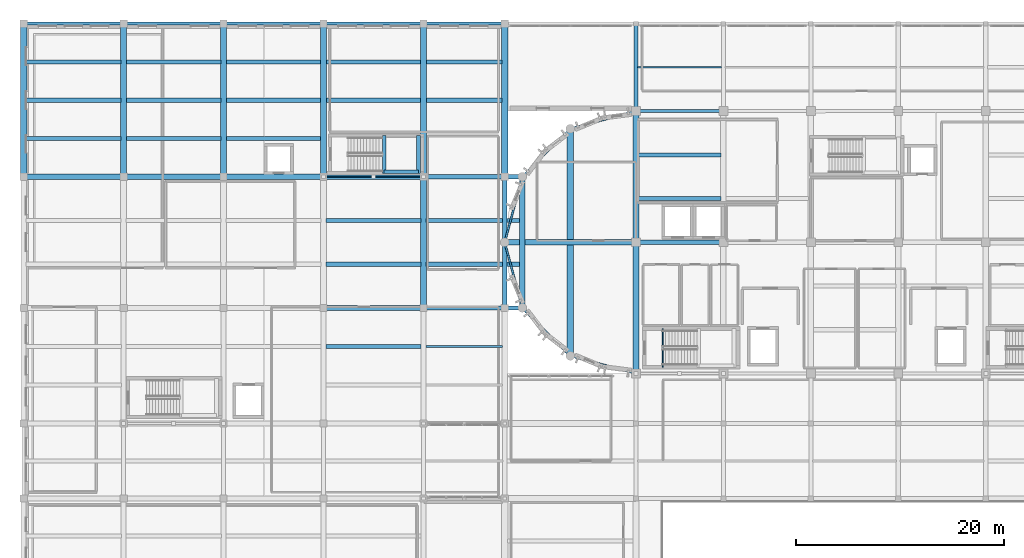
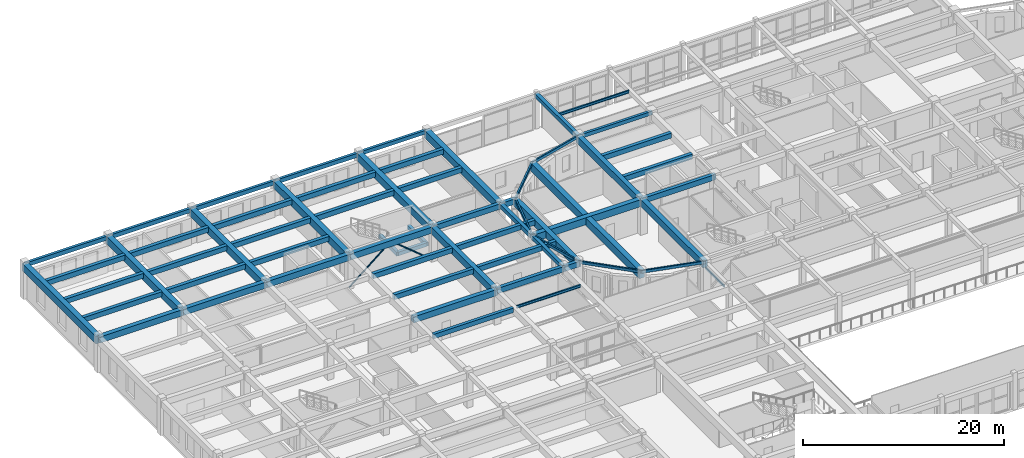
# One storey, part 31 of 92: 62 beams, 3 members.
"""IFC4 building model written with IfcOpenShell, lengths in metres."""

from ifc_helpers import new_model, si_unit, direction, frame, origin, origin_2d, place, context, subcontext, project, spatial, rectangle, hollow_rectangle, hollow_circle, i_section, extrude, material, material_profile, profile_set, type_object, element, save


model = new_model("IFC4")

# Units and contexts
model_context = context("Model", 3, precision=1e-05, world=origin(), true_north=direction((0.0, 1.0)))
body_context = subcontext(model_context, "Body", "Model", "MODEL_VIEW")
ifc_project = project(units=[si_unit("LENGTHUNIT", "METRE"), si_unit("AREAUNIT", "SQUARE_METRE"), si_unit("VOLUMEUNIT", "CUBIC_METRE"), si_unit("PLANEANGLEUNIT", "RADIAN"), si_unit("MASSUNIT", "GRAM", prefix="KILO")], contexts=[model_context])

# Site, building, storey
site_placement = place(None, origin())
site = spatial("IfcSite", under=ifc_project, at=site_placement, CompositionType="ELEMENT")
building_placement = place(site_placement, origin())
building = spatial("IfcBuilding", under=site, at=building_placement, Name="Tarnavel Promenade Courthouse", CompositionType="ELEMENT")
storey_placement = place(building_placement, frame((0.0, 0.0, 5.39990234375)))
storey = spatial("IfcBuildingStorey", under=building, at=storey_placement, Name="L02", CompositionType="ELEMENT", Elevation=5.39990234375)

# Beams
ifc_material_1 = material(Name="Concrete C40/50", Category="concrete")
ifc_material_profile_1 = material_profile(ifc_material_1, rectangle(XDim=0.35009765625, YDim=0.550048828125, at=origin_2d()), Name="PT 350x550")
ifc_profile_set_1 = profile_set([ifc_material_profile_1], Name="Concrete C40/50")
beam_type_1 = type_object("IfcBeamType", Name="Concrete C40/50 BM-PT-350x550 (PT 350x550)", PredefinedType="JOIST", material=ifc_profile_set_1)
beam_1_placement = place(storey_placement, frame((29.02001953125, 81.800048828125, 3.920166015625), z_axis=(1.0, 0.0, 0.0), x_axis=(0.0, 1.0, 0.0)))
element("IfcBeam", 1, at=beam_1_placement, inside=storey, type_object=beam_type_1, Name="L02 Secondary Floor Rib 1412", PredefinedType="JOIST", context=body_context, shape_type="SweptSolid", body=[
    extrude(rectangle(XDim=0.35009765625, YDim=0.550048828125, at=origin_2d()), origin(), (0.0, 0.0, 1.0), 9.159912109375),
])
ifc_material_profile_2 = material_profile(ifc_material_1, rectangle(XDim=0.39990234375, YDim=0.60009765625, at=origin_2d()), Name="PT 400x600")
ifc_profile_set_2 = profile_set([ifc_material_profile_2], Name="Concrete C40/50")
beam_type_2 = type_object("IfcBeamType", Name="Concrete C40/50 BM-PT-400x600 (PT 400x600)", PredefinedType="JOIST", material=ifc_profile_set_2)
for number, where, z_axis, x_axis, name in (
    (2, (29.044921875, 89.699951171875, 3.89501953125), (1.0, 0.0, 0.0), (0.0, 1.0, 0.0), "L02 Secondary Floor Rib 1428"),
    (3, (29.044921875, 93.89990234375, 3.89501953125), (1.0, 0.0, 0.0), (0.0, 1.0, 0.0), "L02 Secondary Floor Rib 1429"),
):
    element("IfcBeam", number, at=place(storey_placement, frame(where, z_axis=z_axis, x_axis=x_axis)), inside=storey, type_object=beam_type_2, Name=name, PredefinedType="JOIST", context=body_context, shape_type="SweptSolid", body=[
        extrude(rectangle(XDim=0.39990234375, YDim=0.60009765625, at=origin_2d()), origin(), (0.0, 0.0, 1.0), 9.110107421875),
    ])
for number, where, z_axis, x_axis, name in (
    (4, (38.64501953125, 89.699951171875, 3.93505859375), (1.0, 0.0, 0.0), (0.0, 1.0, 0.0), "L02 Secondary Floor Rib 1430"),
    (5, (38.64501953125, 93.89990234375, 3.93505859375), (1.0, 0.0, 0.0), (0.0, 1.0, 0.0), "L02 Secondary Floor Rib 1431"),
):
    element("IfcBeam", number, at=place(storey_placement, frame(where, z_axis=z_axis, x_axis=x_axis)), inside=storey, type_object=beam_type_2, Name=name, PredefinedType="JOIST", context=body_context, shape_type="SweptSolid", body=[
        extrude(rectangle(XDim=0.39990234375, YDim=0.60009765625, at=origin_2d()), origin(), (0.0, 0.0, 1.0), 8.998046875),
    ])
for number, where, z_axis, x_axis, name in (
    (6, (0.27001953125, 101.77490234375, 3.89501953125), (1.0, 0.0, 0.0), (0.0, 1.0, 0.0), "L02 Secondary Floor Rib 1442"),
    (7, (0.27001953125, 105.449951171875, 3.89501953125), (1.0, 0.0, 0.0), (0.0, 1.0, 0.0), "L02 Secondary Floor Rib 1443"),
    (8, (0.27001953125, 109.125, 3.89501953125), (1.0, 0.0, 0.0), (0.0, 1.0, 0.0), "L02 Secondary Floor Rib 1444"),
):
    element("IfcBeam", number, at=place(storey_placement, frame(where, z_axis=z_axis, x_axis=x_axis)), inside=storey, type_object=beam_type_2, Name=name, PredefinedType="JOIST", context=body_context, shape_type="SweptSolid", body=[
        extrude(rectangle(XDim=0.39990234375, YDim=0.60009765625, at=origin_2d()), origin(), (0.0, 0.0, 1.0), 9.06005859375),
    ])
for number, where, z_axis, x_axis, name in (
    (9, (9.8701171875, 101.77490234375, 3.89501953125), (1.0, 0.0, 0.0), (0.0, 1.0, 0.0), "L02 Secondary Floor Rib 1445"),
    (10, (9.8701171875, 105.449951171875, 3.89501953125), (1.0, 0.0, 0.0), (0.0, 1.0, 0.0), "L02 Secondary Floor Rib 1446"),
    (11, (9.8701171875, 109.125, 3.89501953125), (1.0, 0.0, 0.0), (0.0, 1.0, 0.0), "L02 Secondary Floor Rib 1447"),
):
    element("IfcBeam", number, at=place(storey_placement, frame(where, z_axis=z_axis, x_axis=x_axis)), inside=storey, type_object=beam_type_2, Name=name, PredefinedType="JOIST", context=body_context, shape_type="SweptSolid", body=[
        extrude(rectangle(XDim=0.39990234375, YDim=0.60009765625, at=origin_2d()), origin(), (0.0, 0.0, 1.0), 9.059814453125),
    ])
for number, where, z_axis, x_axis, name in (
    (12, (19.469970703125, 101.77490234375, 3.89501953125), (1.0, 0.0, 0.0), (0.0, 1.0, 0.0), "L02 Secondary Floor Rib 1448"),
    (13, (19.469970703125, 105.449951171875, 3.89501953125), (1.0, 0.0, 0.0), (0.0, 1.0, 0.0), "L02 Secondary Floor Rib 1449"),
    (14, (19.469970703125, 109.125, 3.89501953125), (1.0, 0.0, 0.0), (0.0, 1.0, 0.0), "L02 Secondary Floor Rib 1450"),
):
    element("IfcBeam", number, at=place(storey_placement, frame(where, z_axis=z_axis, x_axis=x_axis)), inside=storey, type_object=beam_type_2, Name=name, PredefinedType="JOIST", context=body_context, shape_type="SweptSolid", body=[
        extrude(rectangle(XDim=0.39990234375, YDim=0.60009765625, at=origin_2d()), origin(), (0.0, 0.0, 1.0), 9.06005859375),
    ])
for number, where, z_axis, x_axis, name in (
    (15, (29.070068359375, 105.449951171875, 3.89501953125), (1.0, 0.0, 0.0), (0.0, 1.0, 0.0), "L02 Secondary Floor Rib 1451"),
    (16, (29.070068359375, 109.125, 3.89501953125), (1.0, 0.0, 0.0), (0.0, 1.0, 0.0), "L02 Secondary Floor Rib 1452"),
):
    element("IfcBeam", number, at=place(storey_placement, frame(where, z_axis=z_axis, x_axis=x_axis)), inside=storey, type_object=beam_type_2, Name=name, PredefinedType="JOIST", context=body_context, shape_type="SweptSolid", body=[
        extrude(rectangle(XDim=0.39990234375, YDim=0.60009765625, at=origin_2d()), origin(), (0.0, 0.0, 1.0), 9.059814453125),
    ])
for number, where, z_axis, x_axis, name in (
    (17, (38.669921875, 105.449951171875, 3.93505859375), (1.0, 0.0, 0.0), (0.0, 1.0, 0.0), "L02 Secondary Floor Rib 1453"),
    (18, (38.669921875, 109.125, 3.93505859375), (1.0, 0.0, 0.0), (0.0, 1.0, 0.0), "L02 Secondary Floor Rib 1454"),
):
    element("IfcBeam", number, at=place(storey_placement, frame(where, z_axis=z_axis, x_axis=x_axis)), inside=storey, type_object=beam_type_2, Name=name, PredefinedType="JOIST", context=body_context, shape_type="SweptSolid", body=[
        extrude(rectangle(XDim=0.39990234375, YDim=0.60009765625, at=origin_2d()), origin(), (0.0, 0.0, 1.0), 7.260009765625),
    ])
for number, where, z_axis, x_axis, name in (
    (19, (59.044921875, 96.0, 3.93505859375), (1.0, 0.0, 0.0), (0.0, 1.0, 0.0), "L02 Secondary Floor Rib 1465"),
    (20, (59.044921875, 100.199951171875, 3.93505859375), (1.0, 0.0, 0.0), (0.0, 1.0, 0.0), "L02 Secondary Floor Rib 1466"),
):
    element("IfcBeam", number, at=place(storey_placement, frame(where, z_axis=z_axis, x_axis=x_axis)), inside=storey, type_object=beam_type_2, Name=name, PredefinedType="JOIST", context=body_context, shape_type="SweptSolid", body=[
        extrude(rectangle(XDim=0.39990234375, YDim=0.60009765625, at=origin_2d()), origin(), (0.0, 0.0, 1.0), 7.91015625),
    ])
ifc_material_profile_3 = material_profile(ifc_material_1, rectangle(XDim=0.550048828125, YDim=0.85009765625, at=origin_2d()), Name="PT 550x850")
ifc_profile_set_3 = profile_set([ifc_material_profile_3], Name="Concrete C40/50")
beam_type_3 = type_object("IfcBeamType", Name="Concrete C40/50 BM-PT-550x850 (PT 550x850)", PredefinedType="T_BEAM", material=ifc_profile_set_3)
for number, where, z_axis, x_axis, name in (
    (21, (46.199951171875, 91.800048828125, 3.81005859375), (1.0, 0.0, 0.0), (0.0, 1.0, 0.0), "L02 Primary Longitudinal Beam 1183"),
    (22, (38.39990234375, 85.5, 3.77001953125), (0.0, 1.0, 0.0), (-1.0, 0.0, 0.0), "L02 Transverse Girder 1267"),
    (23, (47.88818359375, 85.5, 3.81005859375), (0.0, 1.0, 0.0), (-1.0, 0.0, 0.0), "L02 Transverse Girder 1275"),
    (24, (58.800048828125, 79.199951171875, 3.81005859375), (0.0, 1.0, 0.0), (-1.0, 0.0, 0.0), "L02 Transverse Girder 1280"),
):
    element("IfcBeam", number, at=place(storey_placement, frame(where, z_axis=z_axis, x_axis=x_axis)), inside=storey, type_object=beam_type_3, Name=name, PredefinedType="T_BEAM", context=body_context, shape_type="SweptSolid", body=[
        extrude(rectangle(XDim=0.550048828125, YDim=0.85009765625, at=origin_2d()), origin(), (0.0, 0.0, 1.0), 12.60009765625),
    ])
beam_2_placement = place(storey_placement, frame((58.800048828125, 91.800048828125, 3.81005859375), z_axis=(0.0, 1.0, 0.0), x_axis=(-1.0, 0.0, 0.0)))
element("IfcBeam", 25, at=beam_2_placement, inside=storey, type_object=beam_type_3, Name="L02 Transverse Girder 1281", PredefinedType="T_BEAM", context=body_context, shape_type="SweptSolid", body=[
    extrude(rectangle(XDim=0.550048828125, YDim=0.85009765625, at=origin_2d()), origin(), (0.0, 0.0, 1.0), 12.599853515625),
])
ifc_material_profile_4 = material_profile(ifc_material_1, rectangle(XDim=0.60009765625, YDim=0.89990234375, at=origin_2d()), Name="PT 600x900")
ifc_profile_set_4 = profile_set([ifc_material_profile_4], Name="Concrete C40/50")
beam_type_4 = type_object("IfcBeamType", Name="Concrete C40/50 BM-PT-600x900 (PT 600x900)", PredefinedType="T_BEAM", material=ifc_profile_set_4)
for number, where, z_axis, x_axis, name in (
    (26, (0.0, 98.10009765625, 3.7451171875), (0.0, 1.0, 0.0), (-1.0, 0.0, 0.0), "L02 Transverse Girder 1235"),
    (27, (9.60009765625, 98.10009765625, 3.7451171875), (0.0, 1.0, 0.0), (-1.0, 0.0, 0.0), "L02 Transverse Girder 1247"),
    (28, (19.199951171875, 98.10009765625, 3.7451171875), (0.0, 1.0, 0.0), (-1.0, 0.0, 0.0), "L02 Transverse Girder 1254"),
    (29, (28.800048828125, 98.10009765625, 3.7451171875), (0.0, 1.0, 0.0), (-1.0, 0.0, 0.0), "L02 Transverse Girder 1261"),
    (30, (38.39990234375, 98.10009765625, 3.7451171875), (0.0, 1.0, 0.0), (-1.0, 0.0, 0.0), "L02 Transverse Girder 1268"),
    (31, (46.199951171875, 98.10009765625, 3.78515625), (0.0, 1.0, 0.0), (-1.0, 0.0, 0.0), "L02 Transverse Girder 1274"),
):
    element("IfcBeam", number, at=place(storey_placement, frame(where, z_axis=z_axis, x_axis=x_axis)), inside=storey, type_object=beam_type_4, Name=name, PredefinedType="T_BEAM", context=body_context, shape_type="SweptSolid", body=[
        extrude(rectangle(XDim=0.60009765625, YDim=0.89990234375, at=origin_2d()), origin(), (0.0, 0.0, 1.0), 14.699951171875),
    ])
ifc_material_profile_5 = material_profile(ifc_material_1, rectangle(XDim=0.60009765625, YDim=0.949951171875, at=origin_2d()), Name="PT 600x950")
ifc_profile_set_5 = profile_set([ifc_material_profile_5], Name="Concrete C40/50")
beam_type_5 = type_object("IfcBeamType", Name="Concrete C40/50 BM-PT-600x950 (PT 600x950)", PredefinedType="T_BEAM", material=ifc_profile_set_5)
beam_3_placement = place(storey_placement, frame((52.5, 80.88818359375, 3.760009765625), z_axis=(0.0, 1.0, 0.0), x_axis=(-1.0, 0.0, 0.0)))
element("IfcBeam", 32, at=beam_3_placement, inside=storey, type_object=beam_type_5, Name="L02 Transverse Girder 1276", PredefinedType="T_BEAM", context=body_context, shape_type="SweptSolid", body=[
    extrude(rectangle(XDim=0.60009765625, YDim=0.949951171875, at=origin_2d()), origin(), (0.0, 0.0, 1.0), 21.82373046875),
])
ifc_material_profile_6 = material_profile(ifc_material_1, rectangle(XDim=0.35009765625, YDim=0.449951171875, at=origin_2d()), Name="RC 350x450")
ifc_profile_set_6 = profile_set([ifc_material_profile_6], Name="Concrete C40/50")
beam_type_6 = type_object("IfcBeamType", Name="Concrete C40/50 BM-RC-350x450 (RC 350x450)", PredefinedType="BEAM", material=ifc_profile_set_6)
for number, where, z_axis, x_axis, name in (
    (33, (34.6201171875, 98.419921875, 1.820068359375), (0.0, 1.0, 0.0), (-1.0, 0.0, 0.0), "L02 ST-07 Mid-Landing Support Beam Near"),
    (34, (37.919921875, 98.419921875, 1.820068359375), (0.0, 1.0, 0.0), (-1.0, 0.0, 0.0), "L02 ST-07 Mid-Landing Support Beam Far"),
):
    element("IfcBeam", number, at=place(storey_placement, frame(where, z_axis=z_axis, x_axis=x_axis)), inside=storey, type_object=beam_type_6, Name=name, PredefinedType="BEAM", context=body_context, shape_type="SweptSolid", body=[
        extrude(rectangle(XDim=0.35009765625, YDim=0.449951171875, at=origin_2d()), origin(), (0.0, 0.0, 1.0), 3.64013671875),
    ])
beam_4_placement = place(storey_placement, frame((34.6201171875, 98.570068359375, 1.820068359375), z_axis=(1.0, 0.0, 0.0), x_axis=(0.0, 1.0, 0.0)))
element("IfcBeam", 35, at=beam_4_placement, inside=storey, type_object=beam_type_6, Name="L02 ST-07 Mid-Landing Edge Trimmer", PredefinedType="BEAM", context=body_context, shape_type="SweptSolid", body=[
    extrude(rectangle(XDim=0.35009765625, YDim=0.449951171875, at=origin_2d()), origin(), (0.0, 0.0, 1.0), 3.2998046875),
])
ifc_material_profile_7 = material_profile(ifc_material_1, rectangle(XDim=0.39990234375, YDim=0.5, at=origin_2d()), Name="RC 400x500")
ifc_profile_set_7 = profile_set([ifc_material_profile_7], Name="Concrete C40/50")
beam_type_7 = type_object("IfcBeamType", Name="Concrete C40/50 BM-RC-400x500 (RC 400x500)", PredefinedType="BEAM", material=ifc_profile_set_7)
for number, where, z_axis, x_axis, name in (
    (36, (46.199951171875, 85.5, 3.985107421875), (0.0, 1.0, 0.0), (-1.0, 0.0, 0.0), "L02 Transverse Girder 1272"),
    (37, (46.199951171875, 91.800048828125, 3.985107421875), (0.0, 1.0, 0.0), (-1.0, 0.0, 0.0), "L02 Transverse Girder 1273"),
):
    element("IfcBeam", number, at=place(storey_placement, frame(where, z_axis=z_axis, x_axis=x_axis)), inside=storey, type_object=beam_type_7, Name=name, PredefinedType="BEAM", context=body_context, shape_type="SweptSolid", body=[
        extrude(rectangle(XDim=0.39990234375, YDim=0.5, at=origin_2d()), origin(), (0.0, 0.0, 1.0), 6.300048828125),
    ])
beam_5_placement = place(storey_placement, frame((58.800048828125, 104.39990234375, 3.985107421875), z_axis=(0.0, 1.0, 0.0), x_axis=(-1.0, 0.0, 0.0)))
element("IfcBeam", 38, at=beam_5_placement, inside=storey, type_object=beam_type_7, Name="L02 Transverse Girder 1282", PredefinedType="BEAM", context=body_context, shape_type="SweptSolid", body=[
    extrude(rectangle(XDim=0.39990234375, YDim=0.5, at=origin_2d()), origin(), (0.0, 0.0, 1.0), 8.400146484375),
])
ifc_material_profile_8 = material_profile(ifc_material_1, rectangle(XDim=0.39990234375, YDim=0.64990234375, at=origin_2d()), Name="RC 400x650")
ifc_profile_set_8 = profile_set([ifc_material_profile_8], Name="Concrete C40/50")
beam_type_8 = type_object("IfcBeamType", Name="Concrete C40/50 BM-RC-400x650 (RC 400x650)", PredefinedType="BEAM", material=ifc_profile_set_8)
beam_6_placement = place(storey_placement, frame((38.39990234375, 85.5, 3.91015625), z_axis=(1.0, 0.0, 0.0), x_axis=(0.0, 1.0, 0.0)))
element("IfcBeam", 39, at=beam_6_placement, inside=storey, type_object=beam_type_8, Name="L02 Primary Longitudinal Beam 1176", PredefinedType="BEAM", context=body_context, shape_type="SweptSolid", body=[
    extrude(rectangle(XDim=0.39990234375, YDim=0.64990234375, at=origin_2d()), origin(), (0.0, 0.0, 1.0), 7.800048828125),
])
beam_7_placement = place(storey_placement, frame((46.199951171875, 85.5, 3.91015625), z_axis=(1.0, 0.0, 0.0), x_axis=(0.0, 1.0, 0.0)))
element("IfcBeam", 40, at=beam_7_placement, inside=storey, type_object=beam_type_8, Name="L02 Primary Longitudinal Beam 1177", PredefinedType="BEAM", context=body_context, shape_type="SweptSolid", body=[
    extrude(rectangle(XDim=0.39990234375, YDim=0.64990234375, at=origin_2d()), origin(), (0.0, 0.0, 1.0), 1.688232421875),
])
beam_8_placement = place(storey_placement, frame((58.800048828125, 91.800048828125, 3.91015625), z_axis=(1.0, 0.0, 0.0), x_axis=(0.0, 1.0, 0.0)))
element("IfcBeam", 41, at=beam_8_placement, inside=storey, type_object=beam_type_8, Name="L02 Primary Longitudinal Beam 1184", PredefinedType="BEAM", context=body_context, shape_type="SweptSolid", body=[
    extrude(rectangle(XDim=0.39990234375, YDim=0.64990234375, at=origin_2d()), origin(), (0.0, 0.0, 1.0), 8.39990234375),
])
beam_9_placement = place(storey_placement, frame((38.39990234375, 98.10009765625, 3.91015625), z_axis=(1.0, 0.0, 0.0), x_axis=(0.0, 1.0, 0.0)))
element("IfcBeam", 42, at=beam_9_placement, inside=storey, type_object=beam_type_8, Name="L02 Primary Longitudinal Beam 1194", PredefinedType="BEAM", context=body_context, shape_type="SweptSolid", body=[
    extrude(rectangle(XDim=0.39990234375, YDim=0.64990234375, at=origin_2d()), origin(), (0.0, 0.0, 1.0), 7.800048828125),
])
beam_10_placement = place(storey_placement, frame((46.199951171875, 98.10009765625, 3.91015625), z_axis=(1.0, 0.0, 0.0), x_axis=(0.0, 1.0, 0.0)))
element("IfcBeam", 43, at=beam_10_placement, inside=storey, type_object=beam_type_8, Name="L02 Primary Longitudinal Beam 1195", PredefinedType="BEAM", context=body_context, shape_type="SweptSolid", body=[
    extrude(rectangle(XDim=0.39990234375, YDim=0.64990234375, at=origin_2d()), origin(), (0.0, 0.0, 1.0), 1.688232421875),
])
ifc_material_profile_9 = material_profile(ifc_material_1, rectangle(XDim=0.5, YDim=0.75, at=origin_2d()), Name="RC 500x750")
ifc_profile_set_9 = profile_set([ifc_material_profile_9], Name="Concrete C40/50")
beam_type_9 = type_object("IfcBeamType", Name="Concrete C40/50 BM-RC-500x750 (RC 500x750)", PredefinedType="T_BEAM", material=ifc_profile_set_9)
beam_11_placement = place(storey_placement, frame((28.800048828125, 85.5, 3.820068359375), z_axis=(1.0, 0.0, 0.0), x_axis=(0.0, 1.0, 0.0)))
element("IfcBeam", 44, at=beam_11_placement, inside=storey, type_object=beam_type_9, Name="L02 Primary Longitudinal Beam 1175", PredefinedType="T_BEAM", context=body_context, shape_type="SweptSolid", body=[
    extrude(rectangle(XDim=0.5, YDim=0.75, at=origin_2d()), origin(), (0.0, 0.0, 1.0), 9.599853515625),
])
beam_12_placement = place(storey_placement, frame((0.0, 98.10009765625, 3.820068359375), z_axis=(1.0, 0.0, 0.0), x_axis=(0.0, 1.0, 0.0)))
element("IfcBeam", 45, at=beam_12_placement, inside=storey, type_object=beam_type_9, Name="L02 Primary Longitudinal Beam 1190", PredefinedType="T_BEAM", context=body_context, shape_type="SweptSolid", body=[
    extrude(rectangle(XDim=0.5, YDim=0.75, at=origin_2d()), origin(), (0.0, 0.0, 1.0), 9.60009765625),
])
beam_13_placement = place(storey_placement, frame((9.60009765625, 98.10009765625, 3.820068359375), z_axis=(1.0, 0.0, 0.0), x_axis=(0.0, 1.0, 0.0)))
element("IfcBeam", 46, at=beam_13_placement, inside=storey, type_object=beam_type_9, Name="L02 Primary Longitudinal Beam 1191", PredefinedType="T_BEAM", context=body_context, shape_type="SweptSolid", body=[
    extrude(rectangle(XDim=0.5, YDim=0.75, at=origin_2d()), origin(), (0.0, 0.0, 1.0), 9.599853515625),
])
beam_14_placement = place(storey_placement, frame((19.199951171875, 98.10009765625, 3.820068359375), z_axis=(1.0, 0.0, 0.0), x_axis=(0.0, 1.0, 0.0)))
element("IfcBeam", 47, at=beam_14_placement, inside=storey, type_object=beam_type_9, Name="L02 Primary Longitudinal Beam 1192", PredefinedType="T_BEAM", context=body_context, shape_type="SweptSolid", body=[
    extrude(rectangle(XDim=0.5, YDim=0.75, at=origin_2d()), origin(), (0.0, 0.0, 1.0), 9.60009765625),
])
beam_15_placement = place(storey_placement, frame((28.800048828125, 98.10009765625, 3.820068359375), z_axis=(1.0, 0.0, 0.0), x_axis=(0.0, 1.0, 0.0)))
element("IfcBeam", 48, at=beam_15_placement, inside=storey, type_object=beam_type_9, Name="L02 Primary Longitudinal Beam 1193", PredefinedType="T_BEAM", context=body_context, shape_type="SweptSolid", body=[
    extrude(rectangle(XDim=0.5, YDim=0.75, at=origin_2d()), origin(), (0.0, 0.0, 1.0), 9.599853515625),
])
ifc_material_profile_10 = material_profile(ifc_material_1, rectangle(XDim=0.300048828125, YDim=0.449951171875, at=origin_2d()), Name="RC 300x450")
ifc_profile_set_10 = profile_set([ifc_material_profile_10], Name="Concrete C40/50")
beam_type_10 = type_object("IfcBeamType", Name="Concrete C40/50 BM-SP-300x450 (RC 300x450)", PredefinedType="SPANDREL", material=ifc_profile_set_10)
beam_16_placement = place(storey_placement, frame((58.800048828125, 104.39990234375, 4.010009765625), z_axis=(1.0, 0.0, 0.0), x_axis=(0.0, 1.0, 0.0)))
element("IfcBeam", 49, at=beam_16_placement, inside=storey, type_object=beam_type_10, Name="L02 Primary Longitudinal Beam 1201", PredefinedType="SPANDREL", context=body_context, shape_type="SweptSolid", body=[
    extrude(rectangle(XDim=0.300048828125, YDim=0.449951171875, at=origin_2d()), origin(), (0.0, 0.0, 1.0), 8.39990234375),
])
beam_17_placement = place(storey_placement, frame((38.39990234375, 112.800048828125, 4.010009765625), z_axis=(1.0, 0.0, 0.0), x_axis=(0.0, 1.0, 0.0)))
element("IfcBeam", 50, at=beam_17_placement, inside=storey, type_object=beam_type_10, Name="L02 Primary Longitudinal Beam 1214", PredefinedType="SPANDREL", context=body_context, shape_type="SweptSolid", body=[
    extrude(rectangle(XDim=0.300048828125, YDim=0.449951171875, at=origin_2d()), origin(), (0.0, 0.0, 1.0), 7.800048828125),
])
ifc_material_profile_11 = material_profile(ifc_material_1, rectangle(XDim=0.300048828125, YDim=0.5, at=origin_2d()), Name="RC 300x500")
ifc_profile_set_11 = profile_set([ifc_material_profile_11], Name="Concrete C40/50")
beam_type_11 = type_object("IfcBeamType", Name="Concrete C40/50 BM-SP-300x500 (RC 300x500)", PredefinedType="SPANDREL", material=ifc_profile_set_11)
beam_18_placement = place(storey_placement, frame((0.0, 112.800048828125, 3.945068359375), z_axis=(1.0, 0.0, 0.0), x_axis=(0.0, 1.0, 0.0)))
element("IfcBeam", 51, at=beam_18_placement, inside=storey, type_object=beam_type_11, Name="L02 Primary Longitudinal Beam 1210", PredefinedType="SPANDREL", context=body_context, shape_type="SweptSolid", body=[
    extrude(rectangle(XDim=0.300048828125, YDim=0.5, at=origin_2d()), origin(), (0.0, 0.0, 1.0), 9.60009765625),
])
beam_19_placement = place(storey_placement, frame((9.60009765625, 112.800048828125, 3.945068359375), z_axis=(1.0, 0.0, 0.0), x_axis=(0.0, 1.0, 0.0)))
element("IfcBeam", 52, at=beam_19_placement, inside=storey, type_object=beam_type_11, Name="L02 Primary Longitudinal Beam 1211", PredefinedType="SPANDREL", context=body_context, shape_type="SweptSolid", body=[
    extrude(rectangle(XDim=0.300048828125, YDim=0.5, at=origin_2d()), origin(), (0.0, 0.0, 1.0), 9.599853515625),
])
beam_20_placement = place(storey_placement, frame((19.199951171875, 112.800048828125, 3.945068359375), z_axis=(1.0, 0.0, 0.0), x_axis=(0.0, 1.0, 0.0)))
element("IfcBeam", 53, at=beam_20_placement, inside=storey, type_object=beam_type_11, Name="L02 Primary Longitudinal Beam 1212", PredefinedType="SPANDREL", context=body_context, shape_type="SweptSolid", body=[
    extrude(rectangle(XDim=0.300048828125, YDim=0.5, at=origin_2d()), origin(), (0.0, 0.0, 1.0), 9.60009765625),
])
beam_21_placement = place(storey_placement, frame((28.800048828125, 112.800048828125, 3.945068359375), z_axis=(1.0, 0.0, 0.0), x_axis=(0.0, 1.0, 0.0)))
element("IfcBeam", 54, at=beam_21_placement, inside=storey, type_object=beam_type_11, Name="L02 Primary Longitudinal Beam 1213", PredefinedType="SPANDREL", context=body_context, shape_type="SweptSolid", body=[
    extrude(rectangle(XDim=0.300048828125, YDim=0.5, at=origin_2d()), origin(), (0.0, 0.0, 1.0), 9.599853515625),
])
ifc_material_2 = material(Name="Steel S355J2", Category="steel")
ifc_material_profile_12 = material_profile(ifc_material_2, i_section(OverallWidth=0.159912109375, OverallDepth=0.330078125, WebThickness=0.007568359375, FlangeThickness=0.011474609375, FilletRadius=0.01806640625, at=origin_2d()), Name="IPE 330")
ifc_profile_set_12 = profile_set([ifc_material_profile_12], Name="Steel S355J2")
beam_type_12 = type_object("IfcBeamType", Name="Steel S355J2 BM-ST-IPE330 (IPE 330)", PredefinedType="JOIST", material=ifc_profile_set_12)
beam_22_placement = place(storey_placement, frame((38.6201171875, 81.800048828125, 4.070068359375), z_axis=(1.0, 0.0, 0.0), x_axis=(0.0, 1.0, 0.0)))
element("IfcBeam", 55, at=beam_22_placement, inside=storey, type_object=beam_type_12, Name="L02 Secondary Floor Rib 1414", PredefinedType="JOIST", context=body_context, shape_type="SweptSolid", body=[
    extrude(i_section(OverallWidth=0.159912109375, OverallDepth=0.330078125, WebThickness=0.007568359375, FlangeThickness=0.011474609375, FilletRadius=0.01806640625, at=origin_2d()), origin(), (0.0, 0.0, 1.0), 7.35986328125),
])
beam_23_placement = place(storey_placement, frame((58.969970703125, 108.60009765625, 4.070068359375), z_axis=(1.0, 0.0, 0.0), x_axis=(0.0, 1.0, 0.0)))
element("IfcBeam", 56, at=beam_23_placement, inside=storey, type_object=beam_type_12, Name="L02 Secondary Floor Rib 1470", PredefinedType="JOIST", context=body_context, shape_type="SweptSolid", body=[
    extrude(i_section(OverallWidth=0.159912109375, OverallDepth=0.330078125, WebThickness=0.007568359375, FlangeThickness=0.011474609375, FilletRadius=0.01806640625, at=origin_2d()), origin(), (0.0, 0.0, 1.0), 8.06005859375),
])
ifc_material_profile_13 = material_profile(ifc_material_2, hollow_rectangle(XDim=0.199951171875, YDim=0.35009765625, WallThickness=0.012451171875, InnerFilletRadius=0.012451171875, OuterFilletRadius=0.02490234375, at=origin_2d()), Name="RHS 350x200x12.5")
ifc_profile_set_13 = profile_set([ifc_material_profile_13], Name="Steel S355J2")
beam_type_13 = type_object("IfcBeamType", Name="Steel S355J2 BM-ST-RHS350 (RHS 350x200x12.5)", PredefinedType="SPANDREL", material=ifc_profile_set_13)
beam_24_placement = place(storey_placement, frame((58.800048828125, 104.39990234375, 4.06005859375), z_axis=(-0.965929839907, -0.258804065612, 0.0), x_axis=(0.258804065612, -0.965929839907, 0.0)))
element("IfcBeam", 57, at=beam_24_placement, inside=storey, type_object=beam_type_13, Name="L02 Drum Ring Spandrel 1515", PredefinedType="SPANDREL", context=body_context, shape_type="SweptSolid", body=[
    extrude(hollow_rectangle(XDim=0.199951171875, YDim=0.35009765625, WallThickness=0.012451171875, InnerFilletRadius=0.012451171875, OuterFilletRadius=0.02490234375, at=origin_2d()), origin(), (0.0, 0.0, 1.0), 6.522216796875),
])
beam_25_placement = place(storey_placement, frame((52.5, 102.7119140625, 4.06005859375), z_axis=(-0.707106781187, -0.707106781187, 0.0), x_axis=(0.707106781187, -0.707106781187, 0.0)))
element("IfcBeam", 58, at=beam_25_placement, inside=storey, type_object=beam_type_13, Name="L02 Drum Ring Spandrel 1516", PredefinedType="SPANDREL", context=body_context, shape_type="SweptSolid", body=[
    extrude(hollow_rectangle(XDim=0.199951171875, YDim=0.35009765625, WallThickness=0.012451171875, InnerFilletRadius=0.012451171875, OuterFilletRadius=0.02490234375, at=origin_2d()), origin(), (0.0, 0.0, 1.0), 6.52197265625),
])
for number, where, z_axis, x_axis, name in (
    (59, (47.88818359375, 98.10009765625, 4.06005859375), (-0.258838989821, -0.965920481897, 0.0), (0.965920481897, -0.258838989821, 0.0), "L02 Drum Ring Spandrel 1517"),
    (60, (46.199951171875, 91.800048828125, 4.06005859375), (0.258838989821, -0.965920481897, 0.0), (0.965920481897, 0.258838989821, 0.0), "L02 Drum Ring Spandrel 1518"),
):
    element("IfcBeam", number, at=place(storey_placement, frame(where, z_axis=z_axis, x_axis=x_axis)), inside=storey, type_object=beam_type_13, Name=name, PredefinedType="SPANDREL", context=body_context, shape_type="SweptSolid", body=[
        extrude(hollow_rectangle(XDim=0.199951171875, YDim=0.35009765625, WallThickness=0.012451171875, InnerFilletRadius=0.012451171875, OuterFilletRadius=0.02490234375, at=origin_2d()), origin(), (0.0, 0.0, 1.0), 6.522216796875),
    ])
beam_26_placement = place(storey_placement, frame((47.88818359375, 85.5, 4.06005859375), z_axis=(0.707106781187, -0.707106781187, 0.0), x_axis=(0.707106781187, 0.707106781187, 0.0)))
element("IfcBeam", 61, at=beam_26_placement, inside=storey, type_object=beam_type_13, Name="L02 Drum Ring Spandrel 1519", PredefinedType="SPANDREL", context=body_context, shape_type="SweptSolid", body=[
    extrude(hollow_rectangle(XDim=0.199951171875, YDim=0.35009765625, WallThickness=0.012451171875, InnerFilletRadius=0.012451171875, OuterFilletRadius=0.02490234375, at=origin_2d()), origin(), (0.0, 0.0, 1.0), 6.52197265625),
])
beam_27_placement = place(storey_placement, frame((52.5, 80.88818359375, 4.06005859375), z_axis=(0.965920481897, -0.258838989821, 0.0), x_axis=(0.258838989821, 0.965920481897, 0.0)))
element("IfcBeam", 62, at=beam_27_placement, inside=storey, type_object=beam_type_13, Name="L02 Drum Ring Spandrel 1520", PredefinedType="SPANDREL", context=body_context, shape_type="SweptSolid", body=[
    extrude(hollow_rectangle(XDim=0.199951171875, YDim=0.35009765625, WallThickness=0.012451171875, InnerFilletRadius=0.012451171875, OuterFilletRadius=0.02490234375, at=origin_2d()), origin(), (0.0, 0.0, 1.0), 6.522216796875),
])

# Members
ifc_material_profile_14 = material_profile(ifc_material_2, hollow_circle(Radius=0.084228515625, WallThickness=0.008056640625, at=origin_2d()), Name="CHS 168.3x8")
ifc_profile_set_14 = profile_set([ifc_material_profile_14], Name="Steel S355J2")
member_type_1 = type_object("IfcMemberType", Name="Steel S355J2 MEM-BR-CHS168 (CHS 168.3x8)", PredefinedType="BRACE", material=ifc_profile_set_14)
for number, where, z_axis, x_axis, name in (
    (63, (28.800048828125, 98.10009765625, 0.0), (0.772554836083, 0.0, 0.634948049248), (0.0, 1.0, 0.0), "L02 V2 Chevron Brace A 037"),
    (64, (38.39990234375, 98.10009765625, 0.0), (-0.772538993723, 0.0, 0.634967324495), (0.0, -1.0, 0.0), "L02 V2 Chevron Brace B 037"),
):
    element("IfcMember", number, at=place(storey_placement, frame(where, z_axis=z_axis, x_axis=x_axis)), inside=storey, type_object=member_type_1, Name=name, PredefinedType="BRACE", context=body_context, shape_type="SweptSolid", body=[
        extrude(hollow_circle(Radius=0.084228515625, WallThickness=0.008056640625, at=origin_2d()), origin(), (0.0, 0.0, 1.0), 6.213134765625),
    ])
ifc_material_profile_15 = material_profile(ifc_material_2, hollow_rectangle(XDim=0.14990234375, YDim=0.25, WallThickness=0.010009765625, InnerFilletRadius=0.010009765625, OuterFilletRadius=0.02001953125, at=origin_2d()), Name="RHS 250x150x10")
ifc_profile_set_15 = profile_set([ifc_material_profile_15], Name="Steel S355J2")
member_type_2 = type_object("IfcMemberType", Name="Steel S355J2 Stair Stringer MEM-STR-250 (RHS 250x150x10)", PredefinedType="STRINGER", material=ifc_profile_set_15)
member_placement = place(storey_placement, frame((61.360107421875, 79.800048828125, -0.179931640625), z_axis=(0.0, 1.0, 0.0), x_axis=(-1.0, 0.0, 0.0)))
element("IfcMember", 65, at=member_placement, inside=storey, type_object=member_type_2, Name="L02 ST-01 Stair Header Stringer", PredefinedType="STRINGER", context=body_context, shape_type="SweptSolid", body=[
    extrude(hollow_rectangle(XDim=0.14990234375, YDim=0.25, WallThickness=0.010009765625, InnerFilletRadius=0.010009765625, OuterFilletRadius=0.02001953125, at=origin_2d()), origin(), (0.0, 0.0, 1.0), 3.719970703125),
])

save(model, "model.ifc")
